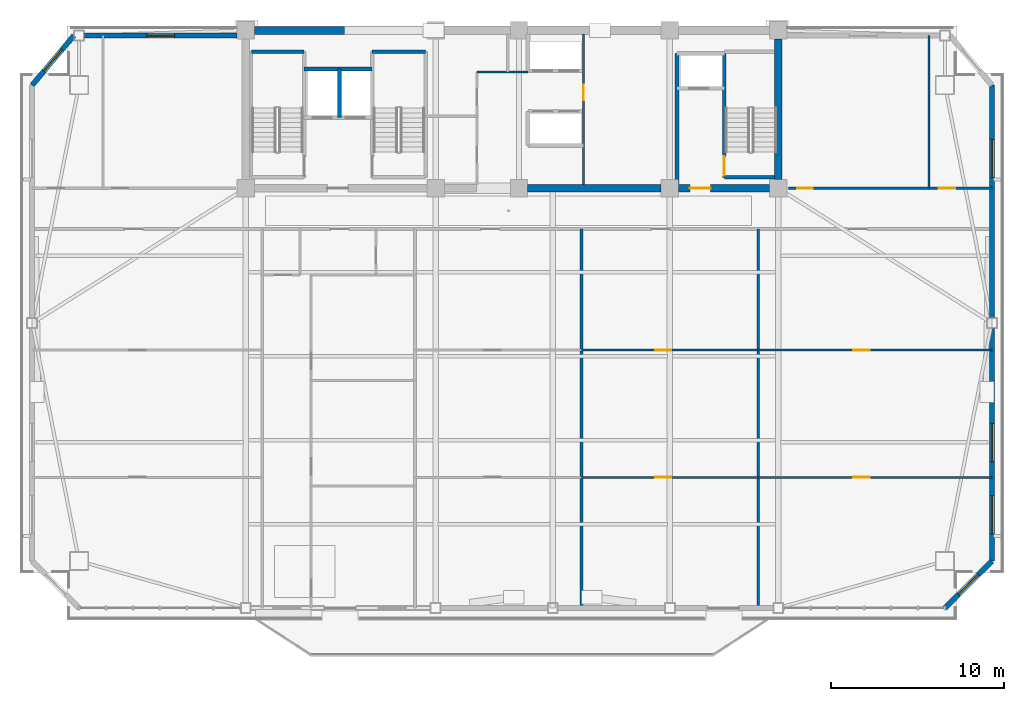
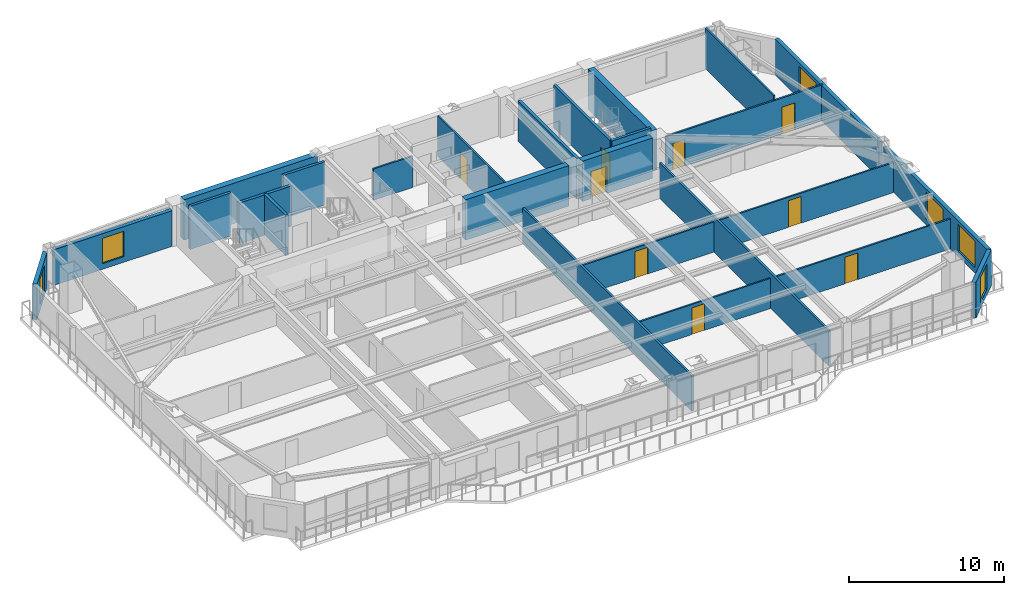
# One storey, part 10 of 16: 26 walls, 9 doors, 6 windows, 15 openings.
"""IFC4 building model written with IfcOpenShell, lengths in metres."""

import ifcopenshell
import ifcopenshell.guid

model = None  # the IFC model being written
_history = None  # IfcOwnerHistory: only IFC2X3 demands one
_inside = {}  # id of a spatial element -> (the spatial element, [elements in it])
_under = {}  # id of a project, library or spatial element -> (it, [spatial elements below it])
_declared = {}  # id of a project -> (the project, [libraries it declares])
_typed = {}  # id of a type object -> (the type object, [elements of that type])
_made_of = {}  # id of a material, layer set ... -> (it, [elements and type objects made of it])


def new_model(schema):
    """Start an empty IFC model of exactly this schema.

    Asked for "IFC4X3", IfcOpenShell would pick the latest addendum, in which some entities
    have other attributes; the version numbers below select the first issue.
    IFC2X3 requires an IfcOwnerHistory on every rooted entity: one is made here for all.
    """
    global model, _history
    if schema == "IFC4X3":
        model = ifcopenshell.file(schema_version=(4, 3, 0, 0))
    else:
        model = ifcopenshell.file(schema=schema)
    _inside.clear()
    _under.clear()
    _declared.clear()
    _typed.clear()
    _made_of.clear()
    _history = None
    if model.schema == "IFC2X3":
        org = make("IfcOrganization", Name="unknown")
        user = make(
            "IfcPersonAndOrganization",
            ThePerson=make("IfcPerson", FamilyName="unknown"),
            TheOrganization=org,
        )
        app = make(
            "IfcApplication",
            ApplicationDeveloper=org,
            Version="unknown",
            ApplicationFullName="unknown",
            ApplicationIdentifier="unknown",
        )
        _history = make(
            "IfcOwnerHistory",
            OwningUser=user,
            OwningApplication=app,
            ChangeAction="ADDED",
            CreationDate=0,
        )
    return model


def make(cls, **values):
    """One entity of the class cls with the attributes given. An attribute that is None is left unset."""
    return model.create_entity(
        cls, **{name: value for name, value in values.items() if value is not None}
    )


def rooted(cls, **values):
    """An entity with a GlobalId (a new one), such as an element, a storey or a relation."""
    return make(cls, GlobalId=ifcopenshell.guid.new(), OwnerHistory=_history, **values)


def si_unit(unit_type, name, prefix=None):
    """IfcSIUnit, for example si_unit("LENGTHUNIT", "METRE", prefix="MILLI")."""
    return make("IfcSIUnit", UnitType=unit_type, Prefix=prefix, Name=name)


def assignment(units):
    """IfcUnitAssignment: the units of a project."""
    return None if units is None else make("IfcUnitAssignment", Units=units)


def point(xyz):
    """IfcCartesianPoint."""
    return None if xyz is None else make("IfcCartesianPoint", Coordinates=xyz)


def direction(xyz):
    """IfcDirection."""
    return None if xyz is None else make("IfcDirection", DirectionRatios=xyz)


def frame(location, z_axis=None, x_axis=None):
    """IfcAxis2Placement3D, a coordinate frame: its origin and axes. An axis left out is left unset."""
    return make(
        "IfcAxis2Placement3D",
        Location=point(location),
        Axis=direction(z_axis),
        RefDirection=direction(x_axis),
    )


def frame_2d(location, x_axis=None):
    """IfcAxis2Placement2D, a coordinate frame in the plane: its origin and x axis."""
    return make(
        "IfcAxis2Placement2D", Location=point(location), RefDirection=direction(x_axis)
    )


def origin():
    """The frame at (0, 0, 0) with its axes left unset."""
    return frame((0.0, 0.0, 0.0))


def place(relative_to, where):
    """IfcLocalPlacement: puts the frame where relative to a parent placement (None: the world)."""
    return make(
        "IfcLocalPlacement", PlacementRelTo=relative_to, RelativePlacement=where
    )


def context(
    kind, dimensions, precision=None, world=None, true_north=None, identifier=None
):
    """IfcGeometricRepresentationContext, for example the 3D "Model" context."""
    return make(
        "IfcGeometricRepresentationContext",
        ContextIdentifier=identifier,
        ContextType=kind,
        CoordinateSpaceDimension=dimensions,
        Precision=precision,
        WorldCoordinateSystem=world,
        TrueNorth=true_north,
    )


def subcontext(parent, identifier, kind, view, scale=None):
    """IfcGeometricRepresentationSubContext, for example "Body" below "Model"."""
    return make(
        "IfcGeometricRepresentationSubContext",
        ContextIdentifier=identifier,
        ContextType=kind,
        ParentContext=parent,
        TargetScale=scale,
        TargetView=view,
    )


def project(units=None, contexts=None):
    """IfcProject with its units and contexts."""
    return rooted(
        "IfcProject",
        Name="project",
        RepresentationContexts=contexts,
        UnitsInContext=assignment(units),
    )


def spatial(cls, under=None, at=None, **own):
    """A site, building, storey or space (cls), placed at a placement, below another one or the project."""
    s = rooted(cls, ObjectPlacement=at, **own)
    if under is not None:
        _under.setdefault(under.id(), (under, []))[1].append(s)
    return s


def profile(cls, at=None, kind="AREA", **sizes):
    """A parametric profile (cls). Its sizes go by their IFC names, for example OverallWidth=200.0."""
    return make(cls, ProfileType=kind, Position=at, **sizes)


def rectangle(**sizes):
    """IfcRectangleProfileDef."""
    return profile("IfcRectangleProfileDef", **sizes)


def extrude(swept, where, along, depth):
    """IfcExtrudedAreaSolid: the profile swept, set in the frame where, extruded along a direction by depth."""
    return make(
        "IfcExtrudedAreaSolid",
        SweptArea=swept,
        Position=where,
        ExtrudedDirection=direction(along),
        Depth=depth,
    )


def shape(context_of_items, identifier, shape_type, items):
    """IfcShapeRepresentation: the items that make up one representation, for example the "Body"."""
    return make(
        "IfcShapeRepresentation",
        ContextOfItems=context_of_items,
        RepresentationIdentifier=identifier,
        RepresentationType=shape_type,
        Items=items,
    )


def source(mapping_origin, context_of_items, identifier, shape_type, items):
    """IfcRepresentationMap: a shape defined once, which mapped items show again and again."""
    return make(
        "IfcRepresentationMap",
        MappingOrigin=mapping_origin,
        MappedRepresentation=shape(context_of_items, identifier, shape_type, items),
    )


def transform(
    local_origin,
    x_axis=None,
    y_axis=None,
    z_axis=None,
    scale=None,
    scale2=None,
    scale3=None,
    uniform=True,
):
    """IfcCartesianTransformationOperator3D, or its non-uniform kind. x_axis, y_axis, z_axis: its Axis1, 2, 3."""
    if uniform:
        return make(
            "IfcCartesianTransformationOperator3D",
            Axis1=direction(x_axis),
            Axis2=direction(y_axis),
            LocalOrigin=point(local_origin),
            Scale=scale,
            Axis3=direction(z_axis),
        )
    return make(
        "IfcCartesianTransformationOperator3DnonUniform",
        Axis1=direction(x_axis),
        Axis2=direction(y_axis),
        LocalOrigin=point(local_origin),
        Scale=scale,
        Axis3=direction(z_axis),
        Scale2=scale2,
        Scale3=scale3,
    )


def mapped(mapping_source, mapping_target):
    """IfcMappedItem: shows the shape of a source again, moved by a transform."""
    return make(
        "IfcMappedItem", MappingSource=mapping_source, MappingTarget=mapping_target
    )


def material(Name=None, Category=None):
    """IfcMaterial."""
    return make("IfcMaterial", Name=Name, Category=Category)


def layer(
    of_material, thickness, ventilated=None, Name=None, Category=None, Priority=None
):
    """IfcMaterialLayer: one layer of a wall or slab, of a material (None: an air gap)."""
    return make(
        "IfcMaterialLayer",
        Material=of_material,
        LayerThickness=thickness,
        IsVentilated=ventilated,
        Name=Name,
        Category=Category,
        Priority=Priority,
    )


def layer_set(layers, Name=None):
    """IfcMaterialLayerSet."""
    return make("IfcMaterialLayerSet", MaterialLayers=layers, LayerSetName=Name)


def made_of(thing, what):
    """Note that an element or type object is made of a material, layer set ...; save() writes the relation."""
    if what is not None:
        _made_of.setdefault(what.id(), (what, []))[1].append(thing)
    return thing


def type_object(cls, material=None, **own):
    """A type object (cls), such as IfcWallType, which elements share."""
    return made_of(rooted(cls, **own), material)


def element(
    cls,
    number,
    at=None,
    inside=None,
    cuts=None,
    type_object=None,
    material=None,
    context=None,
    identifier="Body",
    shape_type=None,
    held_by="IfcProductDefinitionShape",
    body=None,
    shapes=None,
    **own,
):
    """One element of the class cls, such as IfcWall. Its Tag is "e" and its number.

    at: its placement. inside: the storey or other place that contains it. cuts: it is an
    opening in that element (IfcRelVoidsElement). A single representation is given by context,
    identifier, shape_type and body (its items); several are given by shapes. held_by: the class
    of the entity that holds the representations. save() writes the other relations.
    """
    e = rooted(cls, Tag="e%d" % number, ObjectPlacement=at, **own)
    if body is not None:
        shapes = [shape(context, identifier, shape_type, body)]
    if shapes is not None:
        e.Representation = make(held_by, Representations=shapes)
    if inside is not None:
        _inside.setdefault(inside.id(), (inside, []))[1].append(e)
    if cuts is not None:
        rooted(
            "IfcRelVoidsElement", RelatingBuildingElement=cuts, RelatedOpeningElement=e
        )
    if type_object is not None:
        _typed.setdefault(type_object.id(), (type_object, []))[1].append(e)
    return made_of(e, material)


def fill(opening, filler):
    """IfcRelFillsElement: the door or window that sits in an opening."""
    return rooted(
        "IfcRelFillsElement",
        RelatingOpeningElement=opening,
        RelatedBuildingElement=filler,
    )


def aggregate(whole, parts):
    """IfcRelAggregates: a whole, such as a stair, and the parts it consists of."""
    return rooted("IfcRelAggregates", RelatingObject=whole, RelatedObjects=parts)


def save(model, path):
    """Write the relations noted so far, then the file.

    IfcRelAggregates (storeys below a building ...), IfcRelContainedInSpatialStructure (elements
    in a storey), IfcRelDefinesByType, IfcRelAssociatesMaterial and IfcRelDeclares: one each for
    every whole, place, type object, material and project.
    """
    for whole, parts in _under.values():
        aggregate(whole, parts)
    for where, things in _inside.values():
        rooted(
            "IfcRelContainedInSpatialStructure",
            RelatedElements=things,
            RelatingStructure=where,
        )
    for kind, things in _typed.values():
        rooted("IfcRelDefinesByType", RelatedObjects=things, RelatingType=kind)
    for what, things in _made_of.values():
        rooted("IfcRelAssociatesMaterial", RelatedObjects=things, RelatingMaterial=what)
    for by, libraries in _declared.values():
        rooted("IfcRelDeclares", RelatingContext=by, RelatedDefinitions=libraries)
    model.write(path)


model = new_model("IFC4")

# Units and contexts
model_context = context("Model", 3, precision=1e-05, world=origin(), true_north=direction((0.0, 1.0)))
body_context = subcontext(model_context, "Body", "Model", "MODEL_VIEW")
ifc_project = project(units=[si_unit("LENGTHUNIT", "METRE"), si_unit("AREAUNIT", "SQUARE_METRE"), si_unit("VOLUMEUNIT", "CUBIC_METRE"), si_unit("PLANEANGLEUNIT", "RADIAN"), si_unit("MASSUNIT", "GRAM", prefix="KILO")], contexts=[model_context])

# Site, building, storey
site_placement = place(None, origin())
site = spatial("IfcSite", under=ifc_project, at=site_placement, CompositionType="ELEMENT")
building_placement = place(site_placement, origin())
building = spatial("IfcBuilding", under=site, at=building_placement, Name="Giltprow Tower", CompositionType="ELEMENT")
storey_placement = place(building_placement, frame((0.0, 0.0, 230.39990234375)))
storey = spatial("IfcBuildingStorey", under=building, at=storey_placement, Name="L58", CompositionType="ELEMENT", Elevation=230.39990234375)

# Wall, opening, window
ifc_material_1 = material(Name="Precast concrete C40", Category="concrete")
ifc_layer_1 = layer(ifc_material_1, 0.300048828125, Name="Precast concrete C40")
ifc_layer_set_1 = layer_set([ifc_layer_1], Name="Precast concrete C40")
wall_type_1 = type_object("IfcWallType", Name="EW-NOTCH-CHAMFER-300", PredefinedType="SOLIDWALL", material=ifc_layer_set_1)
wall_1_placement = place(storey_placement, frame((60.159912109375, 13.25, 0.0), z_axis=(0.0, 0.0, 1.0), x_axis=(0.707106781187, 0.707106781187, 0.0)))
wall_1 = element("IfcWall", 1, at=wall_1_placement, inside=storey, type_object=wall_type_1, Name="L58 Corner Notch Wall SE", PredefinedType="SOLIDWALL", context=body_context, shape_type="SweptSolid", body=[
    extrude(rectangle(XDim=3.828369140625, YDim=0.300048828125, at=frame_2d((1.9140625, 0.0))), origin(), (0.0, 0.0, 1.0), 2.815185546875),
])
opening_1_placement = place(wall_1_placement, frame((1.114013671875, 0.0, 0.449951171875)))
opening_1 = element("IfcOpeningElement", 2, at=opening_1_placement, cuts=wall_1, Name="Opening WN17", PredefinedType="OPENING", context=body_context, shape_type="SweptSolid", body=[
    extrude(rectangle(XDim=1.60009765625, YDim=2.0, at=frame_2d((0.800048828125, 1.0))), frame((0.0, 0.159912109375, 0.0), z_axis=(0.0, -1.0, 0.0), x_axis=(1.0, 0.0, 0.0)), (0.0, 0.0, 1.0), 0.320068359375),
])
ifc_material_2 = material(Name="Insulated glass", Category="glass")
window_type_1 = type_object("IfcWindowType", Name="WN-COR-1600x2000", PartitioningType="SINGLE_PANEL", PredefinedType="WINDOW", material=ifc_material_2)
shared_shape_1 = source(origin(), body_context, "Body", "SweptSolid", [
    extrude(rectangle(XDim=1.60009765625, YDim=2.0, at=frame_2d((0.800048828125, 1.0))), frame((0.0, 0.030029296875, 0.0), z_axis=(0.0, -1.0, 0.0), x_axis=(1.0, 0.0, 0.0)), (0.0, 0.0, 1.0), 0.06005859375),
])
window_1_placement = place(opening_1_placement, origin())
window_1 = element("IfcWindow", 3, at=window_1_placement, inside=storey, type_object=window_type_1, Name="L58 Corner Notch Window SE", OverallHeight=2.0, OverallWidth=1.60009765625, PartitioningType="SINGLE_PANEL", PredefinedType="WINDOW", context=body_context, shape_type="MappedRepresentation", body=[
    mapped(shared_shape_1, transform((0.0, 0.0, 0.0), x_axis=(1.0, 0.0, 0.0), y_axis=(0.0, 1.0, 0.0), z_axis=(0.0, 0.0, 1.0), scale=1.0)),
])
fill(opening_1, window_1)

wall_2_placement = place(storey_placement, frame((9.93994140625, 46.25, 0.0), z_axis=(0.0, 0.0, 1.0), x_axis=(-0.644314839722, -0.764760346326, 0.0)))
wall_2 = element("IfcWall", 4, at=wall_2_placement, inside=storey, type_object=wall_type_1, Name="L58 Corner Notch Wall NW", PredefinedType="SOLIDWALL", context=body_context, shape_type="SweptSolid", body=[
    extrude(rectangle(XDim=3.73583984375, YDim=0.300048828125, at=frame_2d((1.867919921875, 0.0))), origin(), (0.0, 0.0, 1.0), 2.815185546875),
])
opening_2_placement = place(wall_2_placement, frame((1.068115234375, 0.0, 0.449951171875)))
opening_2 = element("IfcOpeningElement", 5, at=opening_2_placement, cuts=wall_2, Name="Opening WN17", PredefinedType="OPENING", context=body_context, shape_type="SweptSolid", body=[
    extrude(rectangle(XDim=1.60009765625, YDim=2.0, at=frame_2d((0.800048828125, 1.0))), frame((0.0, 0.159912109375, 0.0), z_axis=(0.0, -1.0, 0.0), x_axis=(1.0, 0.0, 0.0)), (0.0, 0.0, 1.0), 0.320068359375),
])
window_2_placement = place(opening_2_placement, origin())
window_2 = element("IfcWindow", 6, at=window_2_placement, inside=storey, type_object=window_type_1, Name="L58 Corner Notch Window NW", OverallHeight=2.0, OverallWidth=1.60009765625, PartitioningType="SINGLE_PANEL", PredefinedType="WINDOW", context=body_context, shape_type="MappedRepresentation", body=[
    mapped(shared_shape_1, transform((0.0, 0.0, 0.0), x_axis=(1.0, 0.0, 0.0), y_axis=(0.0, 1.0, 0.0), z_axis=(0.0, 0.0, 1.0), scale=1.0)),
])
fill(opening_2, window_2)

# Wall, openings, windows
ifc_layer_2 = layer(ifc_material_1, 0.280029296875, Name="Precast concrete C40")
ifc_layer_set_2 = layer_set([ifc_layer_2], Name="Precast concrete C40")
wall_type_2 = type_object("IfcWallType", Name="EW-TOW-BRONZE-280", PredefinedType="SOLIDWALL", material=ifc_layer_set_2)
wall_3_placement = place(storey_placement, frame((62.866943359375, 15.95703125, 0.0), z_axis=(0.0, 0.0, 1.0), x_axis=(0.0, 1.0, 0.0)))
wall_3 = element("IfcWall", 7, at=wall_3_placement, inside=storey, type_object=wall_type_2, Name="L58 E Wing Masonry Wall 1", PredefinedType="SOLIDWALL", context=body_context, shape_type="SweptSolid", body=[
    extrude(rectangle(XDim=13.41796875, YDim=0.280029296875, at=frame_2d((6.708984375, 0.0))), origin(), (0.0, 0.0, 1.0), 2.815185546875),
])
opening_3_placement = place(wall_3_placement, frame((1.56689453125, 0.0, 0.449951171875)))
opening_3 = element("IfcOpeningElement", 8, at=opening_3_placement, cuts=wall_3, Name="Opening WN27", PredefinedType="OPENING", context=body_context, shape_type="SweptSolid", body=[
    extrude(rectangle(XDim=2.199951171875, YDim=2.10009765625, at=frame_2d((1.10009765625, 1.050048828125))), frame((0.0, 0.14990234375, 0.0), z_axis=(0.0, -1.0, 0.0), x_axis=(1.0, 0.0, 0.0)), (0.0, 0.0, 1.0), 0.300048828125),
])
opening_4_placement = place(wall_3_placement, frame((5.735107421875, 0.0, 0.449951171875)))
opening_4 = element("IfcOpeningElement", 9, at=opening_4_placement, cuts=wall_3, Name="Opening WN27", PredefinedType="OPENING", context=body_context, shape_type="SweptSolid", body=[
    extrude(rectangle(XDim=2.199951171875, YDim=2.10009765625, at=frame_2d((1.10009765625, 1.050048828125))), frame((0.0, 0.14990234375, 0.0), z_axis=(0.0, -1.0, 0.0), x_axis=(1.0, 0.0, 0.0)), (0.0, 0.0, 1.0), 0.300048828125),
])
window_type_2 = type_object("IfcWindowType", Name="WN-RES-2200x2100", PartitioningType="TRIPLE_PANEL_VERTICAL", PredefinedType="WINDOW", material=ifc_material_2)
shared_shape_2 = source(origin(), body_context, "Body", "SweptSolid", [
    extrude(rectangle(XDim=2.199951171875, YDim=2.10009765625, at=frame_2d((1.10009765625, 1.050048828125))), frame((0.0, 0.030029296875, 0.0), z_axis=(0.0, -1.0, 0.0), x_axis=(1.0, 0.0, 0.0)), (0.0, 0.0, 1.0), 0.06005859375),
])
window_3_placement = place(opening_3_placement, origin())
window_3 = element("IfcWindow", 10, at=window_3_placement, inside=storey, type_object=window_type_2, Name="L58 E Wing Window 1-1A", OverallHeight=2.10009765625, OverallWidth=2.199951171875, PartitioningType="SINGLE_PANEL", PredefinedType="WINDOW", context=body_context, shape_type="MappedRepresentation", body=[
    mapped(shared_shape_2, transform((0.0, 0.0, 0.0), x_axis=(1.0, 0.0, 0.0), y_axis=(0.0, 1.0, 0.0), z_axis=(0.0, 0.0, 1.0), scale=1.0)),
])
fill(opening_3, window_3)
window_4_placement = place(opening_4_placement, origin())
window_4 = element("IfcWindow", 11, at=window_4_placement, inside=storey, type_object=window_type_2, Name="L58 E Wing Window 1-1B", OverallHeight=2.10009765625, OverallWidth=2.199951171875, PartitioningType="SINGLE_PANEL", PredefinedType="WINDOW", context=body_context, shape_type="MappedRepresentation", body=[
    mapped(shared_shape_2, transform((0.0, 0.0, 0.0), x_axis=(1.0, 0.0, 0.0), y_axis=(0.0, 1.0, 0.0), z_axis=(0.0, 0.0, 1.0), scale=1.0)),
])
fill(opening_4, window_4)

# Wall, opening, window
wall_4_placement = place(storey_placement, frame((62.866943359375, 29.97509765625, 0.0), z_axis=(0.0, 0.0, 1.0), x_axis=(0.0, 1.0, 0.0)))
wall_4 = element("IfcWall", 12, at=wall_4_placement, inside=storey, type_object=wall_type_2, Name="L58 E Wing Masonry Wall 2", PredefinedType="SOLIDWALL", context=body_context, shape_type="SweptSolid", body=[
    extrude(rectangle(XDim=13.41796875, YDim=0.280029296875, at=frame_2d((6.708984375, 0.0))), origin(), (0.0, 0.0, 1.0), 2.815185546875),
])
opening_5_placement = place(wall_4_placement, frame((8.093017578125, 0.0, 0.449951171875)))
opening_5 = element("IfcOpeningElement", 13, at=opening_5_placement, cuts=wall_4, Name="Opening WN27", PredefinedType="OPENING", context=body_context, shape_type="SweptSolid", body=[
    extrude(rectangle(XDim=2.199951171875, YDim=2.10009765625, at=frame_2d((1.10009765625, 1.050048828125))), frame((0.0, 0.14990234375, 0.0), z_axis=(0.0, -1.0, 0.0), x_axis=(1.0, 0.0, 0.0)), (0.0, 0.0, 1.0), 0.300048828125),
])
window_5_placement = place(opening_5_placement, origin())
window_5 = element("IfcWindow", 14, at=window_5_placement, inside=storey, type_object=window_type_2, Name="L58 E Wing Window 2-1", OverallHeight=2.10009765625, OverallWidth=2.199951171875, PartitioningType="SINGLE_PANEL", PredefinedType="WINDOW", context=body_context, shape_type="MappedRepresentation", body=[
    mapped(shared_shape_2, transform((0.0, 0.0, 0.0), x_axis=(1.0, 0.0, 0.0), y_axis=(0.0, 1.0, 0.0), z_axis=(0.0, 0.0, 1.0), scale=1.0)),
])
fill(opening_5, window_5)

wall_5_placement = place(storey_placement, frame((10.5400390625, 46.25, 0.0), z_axis=(0.0, 0.0, 1.0), x_axis=(1.0, 0.0, 0.0)))
wall_5 = element("IfcWall", 15, at=wall_5_placement, inside=storey, type_object=wall_type_2, Name="L58 North-West Wing Wall", PredefinedType="SOLIDWALL", context=body_context, shape_type="SweptSolid", body=[
    extrude(rectangle(XDim=8.81005859375, YDim=0.280029296875, at=frame_2d((4.405029296875, 0.0))), origin(), (0.0, 0.0, 1.0), 2.815185546875),
])
opening_6_placement = place(wall_5_placement, frame((3.60498046875, 0.0, 0.449951171875)))
opening_6 = element("IfcOpeningElement", 16, at=opening_6_placement, cuts=wall_5, Name="Opening WN17", PredefinedType="OPENING", context=body_context, shape_type="SweptSolid", body=[
    extrude(rectangle(XDim=1.60009765625, YDim=2.0, at=frame_2d((0.800048828125, 1.0))), frame((0.0, 0.14990234375, 0.0), z_axis=(0.0, -1.0, 0.0), x_axis=(1.0, 0.0, 0.0)), (0.0, 0.0, 1.0), 0.300048828125),
])
window_6_placement = place(opening_6_placement, origin())
window_6 = element("IfcWindow", 17, at=window_6_placement, inside=storey, type_object=window_type_1, Name="L58 North-West Window", OverallHeight=2.0, OverallWidth=1.60009765625, PartitioningType="SINGLE_PANEL", PredefinedType="WINDOW", context=body_context, shape_type="MappedRepresentation", body=[
    mapped(shared_shape_1, transform((0.0, 0.0, 0.0), x_axis=(1.0, 0.0, 0.0), y_axis=(0.0, 1.0, 0.0), z_axis=(0.0, 0.0, 1.0), scale=1.0)),
])
fill(opening_6, window_6)

# Walls
ifc_material_3 = material(Name="Gypsum stud partition", Category="gypsum")
ifc_layer_3 = layer(ifc_material_3, 0.159912109375, Name="Gypsum stud partition")
ifc_layer_set_3 = layer_set([ifc_layer_3], Name="Gypsum stud partition")
wall_type_3 = type_object("IfcWallType", Name="IW-DEMISE-160", PredefinedType="PARTITIONING", material=ifc_layer_set_3)
for number, where, z_axis, x_axis, name in (
    (18, (39.199951171875, 13.25, 0.0), (0.0, 0.0, 1.0), (0.0, 1.0, 0.0), "L58 Apartment Party Wall 3"),
    (19, (49.39990234375, 13.25, 0.0), (0.0, 0.0, 1.0), (0.0, 1.0, 0.0), "L58 Apartment Party Wall 4"),
):
    element("IfcWall", number, at=place(storey_placement, frame(where, z_axis=z_axis, x_axis=x_axis)), inside=storey, type_object=wall_type_3, Name=name, PredefinedType="PARTITIONING", context=body_context, shape_type="SweptSolid", body=[
        extrude(rectangle(XDim=21.85009765625, YDim=0.159912109375, at=frame_2d((10.925048828125, 0.0))), origin(), (0.0, 0.0, 1.0), 2.77001953125),
    ])

# Wall, opening, door
ifc_layer_4 = layer(ifc_material_3, 0.1201171875, Name="Gypsum stud partition")
ifc_layer_set_4 = layer_set([ifc_layer_4], Name="Gypsum stud partition")
wall_type_4 = type_object("IfcWallType", Name="IW-ROOM-120", PredefinedType="PARTITIONING", material=ifc_layer_set_4)
wall_6_placement = place(storey_placement, frame((39.199951171875, 20.783935546875, 0.0), z_axis=(0.0, 0.0, 1.0), x_axis=(1.0, 0.0, 0.0)))
wall_6 = element("IfcWall", 20, at=wall_6_placement, inside=storey, type_object=wall_type_4, Name="L58 Special Split 1", PredefinedType="PARTITIONING", context=body_context, shape_type="SweptSolid", body=[
    extrude(rectangle(XDim=10.199951171875, YDim=0.1201171875, at=frame_2d((5.10009765625, 0.0))), origin(), (0.0, 0.0, 1.0), 2.3701171875),
])
opening_7_placement = place(wall_6_placement, frame((4.24609375, 0.0, 0.0)))
opening_7 = element("IfcOpeningElement", 21, at=opening_7_placement, cuts=wall_6, Name="Opening ID11", PredefinedType="OPENING", context=body_context, shape_type="SweptSolid", body=[
    extrude(rectangle(XDim=0.949951171875, YDim=2.10009765625, at=frame_2d((0.47509765625, 1.050048828125))), frame((0.0, 0.070068359375, 0.0), z_axis=(0.0, -1.0, 0.0), x_axis=(1.0, 0.0, 0.0)), (0.0, 0.0, 1.0), 0.14013671875),
])
ifc_material_4 = material(Name="Engineered timber", Category="wood")
door_type_1 = type_object("IfcDoorType", Name="DR-ROOM-950", OperationType="SINGLE_SWING_RIGHT", PredefinedType="DOOR", material=ifc_material_4)
shared_shape_3 = source(origin(), body_context, "Body", "SweptSolid", [
    extrude(rectangle(XDim=0.949951171875, YDim=2.10009765625, at=frame_2d((0.47509765625, 1.050048828125))), frame((0.0, 0.02490234375, 0.0), z_axis=(0.0, -1.0, 0.0), x_axis=(1.0, 0.0, 0.0)), (0.0, 0.0, 1.0), 0.050048828125),
])
door_1_placement = place(opening_7_placement, origin())
door_1 = element("IfcDoor", 22, at=door_1_placement, inside=storey, type_object=door_type_1, Name="L58 Residents Sky Club Lounge South Door", OperationType="SINGLE_SWING_RIGHT", OverallHeight=2.10009765625, OverallWidth=0.949951171875, PredefinedType="DOOR", context=body_context, shape_type="MappedRepresentation", body=[
    mapped(shared_shape_3, transform((0.0, 0.0, 0.0), x_axis=(1.0, 0.0, 0.0), y_axis=(0.0, 1.0, 0.0), z_axis=(0.0, 0.0, 1.0), scale=1.0)),
])
fill(opening_7, door_1)

wall_7_placement = place(storey_placement, frame((39.199951171875, 28.117919921875, 0.0), z_axis=(0.0, 0.0, 1.0), x_axis=(1.0, 0.0, 0.0)))
wall_7 = element("IfcWall", 23, at=wall_7_placement, inside=storey, type_object=wall_type_4, Name="L58 Special Split 2", PredefinedType="PARTITIONING", context=body_context, shape_type="SweptSolid", body=[
    extrude(rectangle(XDim=10.199951171875, YDim=0.1201171875, at=frame_2d((5.10009765625, 0.0))), origin(), (0.0, 0.0, 1.0), 2.3701171875),
])
opening_8_placement = place(wall_7_placement, frame((4.24609375, 0.0, 0.0)))
opening_8 = element("IfcOpeningElement", 24, at=opening_8_placement, cuts=wall_7, Name="Opening ID11", PredefinedType="OPENING", context=body_context, shape_type="SweptSolid", body=[
    extrude(rectangle(XDim=0.949951171875, YDim=2.10009765625, at=frame_2d((0.47509765625, 1.050048828125))), frame((0.0, 0.070068359375, 0.0), z_axis=(0.0, -1.0, 0.0), x_axis=(1.0, 0.0, 0.0)), (0.0, 0.0, 1.0), 0.14013671875),
])
door_2_placement = place(opening_8_placement, origin())
door_2 = element("IfcDoor", 25, at=door_2_placement, inside=storey, type_object=door_type_1, Name="L58 Residents Sky Club Lounge Mid Door", OperationType="SINGLE_SWING_LEFT", OverallHeight=2.10009765625, OverallWidth=0.949951171875, PredefinedType="DOOR", context=body_context, shape_type="MappedRepresentation", body=[
    mapped(shared_shape_3, transform((0.0, 0.0, 0.0), x_axis=(1.0, 0.0, 0.0), y_axis=(0.0, 1.0, 0.0), z_axis=(0.0, 0.0, 1.0), scale=1.0)),
])
fill(opening_8, door_2)

wall_8_placement = place(storey_placement, frame((49.39990234375, 20.783935546875, 0.0), z_axis=(0.0, 0.0, 1.0), x_axis=(1.0, 0.0, 0.0)))
wall_8 = element("IfcWall", 26, at=wall_8_placement, inside=storey, type_object=wall_type_4, Name="L58 Special Split 1", PredefinedType="PARTITIONING", context=body_context, shape_type="SweptSolid", body=[
    extrude(rectangle(XDim=13.467041015625, YDim=0.1201171875, at=frame_2d((6.7333984375, 0.0))), origin(), (0.0, 0.0, 1.0), 2.3701171875),
])
opening_9_placement = place(wall_8_placement, frame((5.472900390625, 0.0, 0.0)))
opening_9 = element("IfcOpeningElement", 27, at=opening_9_placement, cuts=wall_8, Name="Opening ID11", PredefinedType="OPENING", context=body_context, shape_type="SweptSolid", body=[
    extrude(rectangle(XDim=0.949951171875, YDim=2.10009765625, at=frame_2d((0.47509765625, 1.050048828125))), frame((0.0, 0.070068359375, 0.0), z_axis=(0.0, -1.0, 0.0), x_axis=(1.0, 0.0, 0.0)), (0.0, 0.0, 1.0), 0.14013671875),
])
door_3_placement = place(opening_9_placement, origin())
door_3 = element("IfcDoor", 28, at=door_3_placement, inside=storey, type_object=door_type_1, Name="L58 Sky Music Lounge South Door", OperationType="SINGLE_SWING_LEFT", OverallHeight=2.10009765625, OverallWidth=0.949951171875, PredefinedType="DOOR", context=body_context, shape_type="MappedRepresentation", body=[
    mapped(shared_shape_3, transform((0.0, 0.0, 0.0), x_axis=(1.0, 0.0, 0.0), y_axis=(0.0, 1.0, 0.0), z_axis=(0.0, 0.0, 1.0), scale=1.0)),
])
fill(opening_9, door_3)

wall_9_placement = place(storey_placement, frame((49.39990234375, 28.117919921875, 0.0), z_axis=(0.0, 0.0, 1.0), x_axis=(1.0, 0.0, 0.0)))
wall_9 = element("IfcWall", 29, at=wall_9_placement, inside=storey, type_object=wall_type_4, Name="L58 Special Split 2", PredefinedType="PARTITIONING", context=body_context, shape_type="SweptSolid", body=[
    extrude(rectangle(XDim=13.467041015625, YDim=0.1201171875, at=frame_2d((6.7333984375, 0.0))), origin(), (0.0, 0.0, 1.0), 2.3701171875),
])
opening_10_placement = place(wall_9_placement, frame((5.472900390625, 0.0, 0.0)))
opening_10 = element("IfcOpeningElement", 30, at=opening_10_placement, cuts=wall_9, Name="Opening ID11", PredefinedType="OPENING", context=body_context, shape_type="SweptSolid", body=[
    extrude(rectangle(XDim=0.949951171875, YDim=2.10009765625, at=frame_2d((0.47509765625, 1.050048828125))), frame((0.0, 0.070068359375, 0.0), z_axis=(0.0, -1.0, 0.0), x_axis=(1.0, 0.0, 0.0)), (0.0, 0.0, 1.0), 0.14013671875),
])
door_4_placement = place(opening_10_placement, origin())
door_4 = element("IfcDoor", 31, at=door_4_placement, inside=storey, type_object=door_type_1, Name="L58 Sky Music Lounge Mid Door", OperationType="SINGLE_SWING_RIGHT", OverallHeight=2.10009765625, OverallWidth=0.949951171875, PredefinedType="DOOR", context=body_context, shape_type="MappedRepresentation", body=[
    mapped(shared_shape_3, transform((0.0, 0.0, 0.0), x_axis=(1.0, 0.0, 0.0), y_axis=(0.0, 1.0, 0.0), z_axis=(0.0, 0.0, 1.0), scale=1.0)),
])
fill(opening_10, door_4)

# Walls
ifc_material_5 = material(Name="Concrete C40", Category="concrete")
ifc_layer_5 = layer(ifc_material_5, 0.219970703125, Name="Concrete C40")
ifc_layer_set_5 = layer_set([ifc_layer_5], Name="Concrete C40")
wall_type_5 = type_object("IfcWallType", Name="IW-SHAFT-220", PredefinedType="SOLIDWALL", material=ifc_layer_set_5)
wall_10_placement = place(storey_placement, frame((25.260009765625, 41.52001953125, 0.0), z_axis=(0.0, 0.0, 1.0), x_axis=(0.0, 1.0, 0.0)))
element("IfcWall", 32, at=wall_10_placement, inside=storey, type_object=wall_type_5, Name="L58 FFL1-SVL1 Shaft Divider", PredefinedType="SOLIDWALL", context=body_context, shape_type="SweptSolid", body=[
    extrude(rectangle(XDim=2.800048828125, YDim=0.219970703125, at=frame_2d((1.39990234375, 0.0))), origin(), (0.0, 0.0, 1.0), 3.18505859375),
])
wall_11_placement = place(storey_placement, frame((23.219970703125, 44.320068359375, 0.0), z_axis=(0.0, 0.0, 1.0), x_axis=(1.0, 0.0, 0.0)))
element("IfcWall", 33, at=wall_11_placement, inside=storey, type_object=wall_type_5, Name="L58 FFL1-SVL1 Back Shaft Wall", PredefinedType="SOLIDWALL", context=body_context, shape_type="SweptSolid", body=[
    extrude(rectangle(XDim=3.919921875, YDim=0.219970703125, at=frame_2d((1.9599609375, 0.0))), origin(), (0.0, 0.0, 1.0), 3.18505859375),
])
wall_12_placement = place(storey_placement, frame((44.719970703125, 37.655029296875, 0.0), z_axis=(0.0, 0.0, 1.0), x_axis=(0.0, 1.0, 0.0)))
element("IfcWall", 34, at=wall_12_placement, inside=storey, type_object=wall_type_5, Name="L58 East Firefighting Lobby West Wall", PredefinedType="SOLIDWALL", context=body_context, shape_type="SweptSolid", body=[
    extrude(rectangle(XDim=7.56494140625, YDim=0.219970703125, at=frame_2d((3.782470703125, 0.0))), origin(), (0.0, 0.0, 1.0), 3.18505859375),
])
ifc_layer_6 = layer(ifc_material_5, 0.199951171875, Name="Concrete C40")
ifc_layer_set_6 = layer_set([ifc_layer_6], Name="Concrete C40")
wall_type_6 = type_object("IfcWallType", Name="IW-STAIR-200", PredefinedType="SOLIDWALL", material=ifc_layer_set_6)
wall_13_placement = place(storey_placement, frame((20.169921875, 45.320068359375, 0.0), z_axis=(0.0, 0.0, 1.0), x_axis=(1.0, 0.0, 0.0)))
element("IfcWall", 35, at=wall_13_placement, inside=storey, type_object=wall_type_6, Name="L58 Stair ST-1 North Bearing Wall", PredefinedType="SOLIDWALL", context=body_context, shape_type="SweptSolid", body=[
    extrude(rectangle(XDim=3.050048828125, YDim=0.199951171875, at=frame_2d((1.52490234375, 0.0))), origin(), (0.0, 0.0, 1.0), 3.400146484375),
])
wall_14_placement = place(storey_placement, frame((27.139892578125, 45.320068359375, 0.0), z_axis=(0.0, 0.0, 1.0), x_axis=(1.0, 0.0, 0.0)))
element("IfcWall", 36, at=wall_14_placement, inside=storey, type_object=wall_type_6, Name="L58 Stair ST-2 North Bearing Wall", PredefinedType="SOLIDWALL", context=body_context, shape_type="SweptSolid", body=[
    extrude(rectangle(XDim=3.080078125, YDim=0.199951171875, at=frame_2d((1.5400390625, 0.0))), origin(), (0.0, 0.0, 1.0), 3.400146484375),
])

# Wall, opening, door
wall_15_placement = place(storey_placement, frame((47.43994140625, 38.070068359375, 0.0), z_axis=(0.0, 0.0, 1.0), x_axis=(0.0, 1.0, 0.0)))
wall_15 = element("IfcWall", 37, at=wall_15_placement, inside=storey, type_object=wall_type_6, Name="L58 Stair ST-3 West Bearing Wall", PredefinedType="SOLIDWALL", context=body_context, shape_type="SweptSolid", body=[
    extrude(rectangle(XDim=7.25, YDim=0.199951171875, at=frame_2d((3.625, 0.0))), origin(), (0.0, 0.0, 1.0), 3.400146484375),
])
opening_11_placement = place(wall_15_placement, frame((0.110107421875, 0.0, 0.0)))
opening_11 = element("IfcOpeningElement", 38, at=opening_11_placement, cuts=wall_15, Name="Opening ID33", PredefinedType="OPENING", context=body_context, shape_type="SweptSolid", body=[
    extrude(rectangle(XDim=1.10009765625, YDim=2.14990234375, at=frame_2d((0.550048828125, 1.074951171875))), frame((0.0, 0.10986328125, 0.0), z_axis=(0.0, -1.0, 0.0), x_axis=(1.0, 0.0, 0.0)), (0.0, 0.0, 1.0), 0.219970703125),
])
ifc_material_6 = material(Name="Steel fire leaf", Category="steel")
door_type_2 = type_object("IfcDoorType", Name="DR-STAIR-1100", OperationType="SINGLE_SWING_LEFT", PredefinedType="DOOR", material=ifc_material_6)
shared_shape_4 = source(origin(), body_context, "Body", "SweptSolid", [
    extrude(rectangle(XDim=1.10009765625, YDim=2.14990234375, at=frame_2d((0.550048828125, 1.074951171875))), frame((0.0, 0.02490234375, 0.0), z_axis=(0.0, -1.0, 0.0), x_axis=(1.0, 0.0, 0.0)), (0.0, 0.0, 1.0), 0.050048828125),
])
door_5_placement = place(opening_11_placement, origin())
door_5 = element("IfcDoor", 39, at=door_5_placement, inside=storey, type_object=door_type_2, Name="L58 Stair ST-3 Fire Door", OperationType="SINGLE_SWING_RIGHT", OverallHeight=2.14990234375, OverallWidth=1.10009765625, PredefinedType="DOOR", context=body_context, shape_type="MappedRepresentation", body=[
    mapped(shared_shape_4, transform((0.0, 0.0, 0.0), x_axis=(1.0, 0.0, 0.0), y_axis=(0.0, 1.0, 0.0), z_axis=(0.0, 0.0, 1.0), scale=1.0)),
])
fill(opening_11, door_5)

# Walls
wall_16_placement = place(storey_placement, frame((47.43994140625, 38.070068359375, 0.0), z_axis=(0.0, 0.0, 1.0), x_axis=(1.0, 0.0, 0.0)))
element("IfcWall", 40, at=wall_16_placement, inside=storey, type_object=wall_type_6, Name="L58 Stair ST-3 South Bearing Wall", PredefinedType="SOLIDWALL", context=body_context, shape_type="SweptSolid", body=[
    extrude(rectangle(XDim=2.905029296875, YDim=0.199951171875, at=frame_2d((1.45263671875, 0.0))), origin(), (0.0, 0.0, 1.0), 3.400146484375),
])
ifc_material_7 = material(Name="Concrete C30", Category="concrete")
ifc_layer_7 = layer(ifc_material_7, 0.1298828125, Name="Concrete C30")
ifc_layer_set_7 = layer_set([ifc_layer_7], Name="Concrete C30")
wall_type_7 = type_object("IfcWallType", Name="IW-WET-130", PredefinedType="PARTITIONING", material=ifc_layer_set_7)
wall_17_placement = place(storey_placement, frame((33.179931640625, 44.14990234375, 0.0), z_axis=(0.0, 0.0, 1.0), x_axis=(1.0, 0.0, 0.0)))
element("IfcWall", 41, at=wall_17_placement, inside=storey, type_object=wall_type_7, Name="L58 Reclaimed West Pocket Wall S", PredefinedType="PARTITIONING", context=body_context, shape_type="SweptSolid", body=[
    extrude(rectangle(XDim=2.940185546875, YDim=0.1298828125, at=frame_2d((1.47021484375, 0.0))), origin(), (0.0, 0.0, 1.0), 2.47021484375),
])

# Wall, opening, door
wall_18_placement = place(storey_placement, frame((39.320068359375, 37.655029296875, 0.0), z_axis=(0.0, 0.0, 1.0), x_axis=(0.0, 1.0, 0.0)))
wall_18 = element("IfcWall", 42, at=wall_18_placement, inside=storey, type_object=wall_type_7, Name="L58 Reclaimed East Core Wall", PredefinedType="PARTITIONING", context=body_context, shape_type="SweptSolid", body=[
    extrude(rectangle(XDim=8.68994140625, YDim=0.1298828125, at=frame_2d((4.344970703125, 0.0))), origin(), (0.0, 0.0, 1.0), 3.18505859375),
])
opening_12_placement = place(wall_18_placement, frame((4.864990234375, 0.0, 0.0)))
opening_12 = element("IfcOpeningElement", 43, at=opening_12_placement, cuts=wall_18, Name="Opening ID35", PredefinedType="OPENING", context=body_context, shape_type="SweptSolid", body=[
    extrude(rectangle(XDim=0.89990234375, YDim=2.10009765625, at=frame_2d((0.449951171875, 1.050048828125))), frame((0.0, 0.074951171875, 0.0), z_axis=(0.0, -1.0, 0.0), x_axis=(1.0, 0.0, 0.0)), (0.0, 0.0, 1.0), 0.14990234375),
])
door_type_3 = type_object("IfcDoorType", Name="DR-SHAFT-900", OperationType="SINGLE_SWING_LEFT", PredefinedType="DOOR", material=ifc_material_6)
shared_shape_5 = source(origin(), body_context, "Body", "SweptSolid", [
    extrude(rectangle(XDim=0.89990234375, YDim=2.10009765625, at=frame_2d((0.449951171875, 1.050048828125))), frame((0.0, 0.02490234375, 0.0), z_axis=(0.0, -1.0, 0.0), x_axis=(1.0, 0.0, 0.0)), (0.0, 0.0, 1.0), 0.050048828125),
])
door_6_placement = place(opening_12_placement, origin())
door_6 = element("IfcDoor", 44, at=door_6_placement, inside=storey, type_object=door_type_3, Name="L58 Core Cold Delivery Store Door", OperationType="SINGLE_SWING_LEFT", OverallHeight=2.10009765625, OverallWidth=0.89990234375, PredefinedType="DOOR", context=body_context, shape_type="MappedRepresentation", body=[
    mapped(shared_shape_5, transform((0.0, 0.0, 0.0), x_axis=(1.0, 0.0, 0.0), y_axis=(0.0, 1.0, 0.0), z_axis=(0.0, 0.0, 1.0), scale=1.0)),
])
fill(opening_12, door_6)

# Wall, openings, doors
wall_19_placement = place(storey_placement, frame((51.14990234375, 37.449951171875, 0.0), z_axis=(0.0, 0.0, 1.0), x_axis=(1.0, 0.0, 0.0)))
wall_19 = element("IfcWall", 45, at=wall_19_placement, inside=storey, type_object=wall_type_7, Name="L58 NE Wing South Wall", PredefinedType="PARTITIONING", context=body_context, shape_type="SweptSolid", body=[
    extrude(rectangle(XDim=11.717041015625, YDim=0.1298828125, at=frame_2d((5.8583984375, 0.0))), origin(), (0.0, 0.0, 1.0), 2.820068359375),
])
opening_13_placement = place(wall_19_placement, frame((0.5, 0.0, 0.0)))
opening_13 = element("IfcOpeningElement", 46, at=opening_13_placement, cuts=wall_19, Name="Opening ID15", PredefinedType="OPENING", context=body_context, shape_type="SweptSolid", body=[
    extrude(rectangle(XDim=0.89990234375, YDim=2.10009765625, at=frame_2d((0.449951171875, 1.050048828125))), frame((0.0, 0.074951171875, 0.0), z_axis=(0.0, -1.0, 0.0), x_axis=(1.0, 0.0, 0.0)), (0.0, 0.0, 1.0), 0.14990234375),
])
opening_14_placement = place(wall_19_placement, frame((8.64208984375, 0.0, 0.0)))
opening_14 = element("IfcOpeningElement", 47, at=opening_14_placement, cuts=wall_19, Name="Opening ID11", PredefinedType="OPENING", context=body_context, shape_type="SweptSolid", body=[
    extrude(rectangle(XDim=0.949951171875, YDim=2.10009765625, at=frame_2d((0.47509765625, 1.050048828125))), frame((0.0, 0.074951171875, 0.0), z_axis=(0.0, -1.0, 0.0), x_axis=(1.0, 0.0, 0.0)), (0.0, 0.0, 1.0), 0.14990234375),
])
door_type_4 = type_object("IfcDoorType", Name="DR-WC-900", OperationType="SINGLE_SWING_LEFT", PredefinedType="DOOR", material=ifc_material_4)
door_7_placement = place(opening_13_placement, origin())
door_7 = element("IfcDoor", 48, at=door_7_placement, inside=storey, type_object=door_type_4, Name="L58 East Wing Washroom Door", OperationType="SINGLE_SWING_RIGHT", OverallHeight=2.10009765625, OverallWidth=0.89990234375, PredefinedType="DOOR", context=body_context, shape_type="MappedRepresentation", body=[
    mapped(shared_shape_5, transform((0.0, 0.0, 0.0), x_axis=(1.0, 0.0, 0.0), y_axis=(0.0, 1.0, 0.0), z_axis=(0.0, 0.0, 1.0), scale=1.0)),
])
fill(opening_13, door_7)
door_8_placement = place(opening_14_placement, origin())
door_8 = element("IfcDoor", 49, at=door_8_placement, inside=storey, type_object=door_type_1, Name="L58 Residents Reading Lounge Door", OperationType="SINGLE_SWING_LEFT", OverallHeight=2.10009765625, OverallWidth=0.949951171875, PredefinedType="DOOR", context=body_context, shape_type="MappedRepresentation", body=[
    mapped(shared_shape_3, transform((0.0, 0.0, 0.0), x_axis=(1.0, 0.0, 0.0), y_axis=(0.0, 1.0, 0.0), z_axis=(0.0, 0.0, 1.0), scale=1.0)),
])
fill(opening_14, door_8)

# Walls
wall_20_placement = place(storey_placement, frame((59.241943359375, 37.449951171875, 0.0), z_axis=(0.0, 0.0, 1.0), x_axis=(0.0, 1.0, 0.0)))
element("IfcWall", 50, at=wall_20_placement, inside=storey, type_object=wall_type_7, Name="L58 NE Wing Divider", PredefinedType="PARTITIONING", context=body_context, shape_type="SweptSolid", body=[
    extrude(rectangle(XDim=8.800048828125, YDim=0.1298828125, at=frame_2d((4.39990234375, 0.0))), origin(), (0.0, 0.0, 1.0), 3.18505859375),
])
ifc_material_8 = material(Name="Concrete C50", Category="concrete")
ifc_layer_8 = layer(ifc_material_8, 0.449951171875, Name="Concrete C50")
ifc_layer_set_8 = layer_set([ifc_layer_8], Name="Concrete C50")
wall_type_8 = type_object("IfcWallType", Name="SW-EXT-450-C50", PredefinedType="SHEAR", material=ifc_layer_set_8)
wall_21_placement = place(storey_placement, frame((20.35009765625, 46.550048828125, 0.0), z_axis=(0.0, 0.0, 1.0), x_axis=(1.0, 0.0, 0.0)))
element("IfcWall", 51, at=wall_21_placement, inside=storey, type_object=wall_type_8, Name="L58 North Rear Core Shear Wall 1", PredefinedType="SHEAR", context=body_context, shape_type="SweptSolid", body=[
    extrude(rectangle(XDim=9.949951171875, YDim=0.449951171875, at=frame_2d((4.97509765625, 0.0))), origin(), (0.0, 0.0, 1.0), 3.18505859375),
])
ifc_layer_9 = layer(ifc_material_8, 0.449951171875, Name="Concrete C50")
ifc_layer_set_9 = layer_set([ifc_layer_9], Name="Concrete C50")
wall_type_9 = type_object("IfcWallType", Name="SW-INT-450-C50", PredefinedType="SHEAR", material=ifc_layer_set_9)
wall_22_placement = place(storey_placement, frame((36.10009765625, 37.449951171875, 0.0), z_axis=(0.0, 0.0, 1.0), x_axis=(1.0, 0.0, 0.0)))
element("IfcWall", 52, at=wall_22_placement, inside=storey, type_object=wall_type_9, Name="L58 South Rear Core Shear Wall Mid-East", PredefinedType="SHEAR", context=body_context, shape_type="SweptSolid", body=[
    extrude(rectangle(XDim=7.699951171875, YDim=0.449951171875, at=frame_2d((3.85009765625, 0.0))), origin(), (0.0, 0.0, 1.0), 3.18505859375),
])

# Wall, opening, door
wall_23_placement = place(storey_placement, frame((44.800048828125, 37.449951171875, 0.0), z_axis=(0.0, 0.0, 1.0), x_axis=(1.0, 0.0, 0.0)))
wall_23 = element("IfcWall", 53, at=wall_23_placement, inside=storey, type_object=wall_type_9, Name="L58 South Rear Core Shear Wall East", PredefinedType="SHEAR", context=body_context, shape_type="SweptSolid", body=[
    extrude(rectangle(XDim=5.25, YDim=0.449951171875, at=frame_2d((2.625, 0.0))), origin(), (0.0, 0.0, 1.0), 3.18505859375),
])
opening_15_placement = place(wall_23_placement, frame((0.64990234375, 0.0, 0.0)))
opening_15 = element("IfcOpeningElement", 54, at=opening_15_placement, cuts=wall_23, Name="Opening ID19", PredefinedType="OPENING", context=body_context, shape_type="SweptSolid", body=[
    extrude(rectangle(XDim=1.199951171875, YDim=2.14990234375, at=frame_2d((0.60009765625, 1.074951171875))), frame((0.0, 0.23486328125, 0.0), z_axis=(0.0, -1.0, 0.0), x_axis=(1.0, 0.0, 0.0)), (0.0, 0.0, 1.0), 0.469970703125),
])
door_type_5 = type_object("IfcDoorType", Name="DR-FFLOBBY-1200", OperationType="SINGLE_SWING_RIGHT", PredefinedType="DOOR", material=ifc_material_6)
shared_shape_6 = source(origin(), body_context, "Body", "SweptSolid", [
    extrude(rectangle(XDim=1.199951171875, YDim=2.14990234375, at=frame_2d((0.60009765625, 1.074951171875))), frame((0.0, 0.02490234375, 0.0), z_axis=(0.0, -1.0, 0.0), x_axis=(1.0, 0.0, 0.0)), (0.0, 0.0, 1.0), 0.050048828125),
])
door_9_placement = place(opening_15_placement, origin())
door_9 = element("IfcDoor", 55, at=door_9_placement, inside=storey, type_object=door_type_5, Name="L58 East Firefighting Lobby Entry Door", OperationType="SINGLE_SWING_RIGHT", OverallHeight=2.14990234375, OverallWidth=1.199951171875, PredefinedType="DOOR", context=body_context, shape_type="MappedRepresentation", body=[
    mapped(shared_shape_6, transform((0.0, 0.0, 0.0), x_axis=(1.0, 0.0, 0.0), y_axis=(0.0, 1.0, 0.0), z_axis=(0.0, 0.0, 1.0), scale=1.0)),
])
fill(opening_15, door_9)

# Wall
wall_24_placement = place(storey_placement, frame((50.550048828125, 37.949951171875, 0.0), z_axis=(0.0, 0.0, 1.0), x_axis=(0.0, 1.0, 0.0)))
element("IfcWall", 56, at=wall_24_placement, inside=storey, type_object=wall_type_9, Name="L58 E Rear Core Shear Wall", PredefinedType="SHEAR", context=body_context, shape_type="SweptSolid", body=[
    extrude(rectangle(XDim=8.10009765625, YDim=0.449951171875, at=frame_2d((4.050048828125, 0.0))), origin(), (0.0, 0.0, 1.0), 3.18505859375),
])

save(model, "model.ifc")
